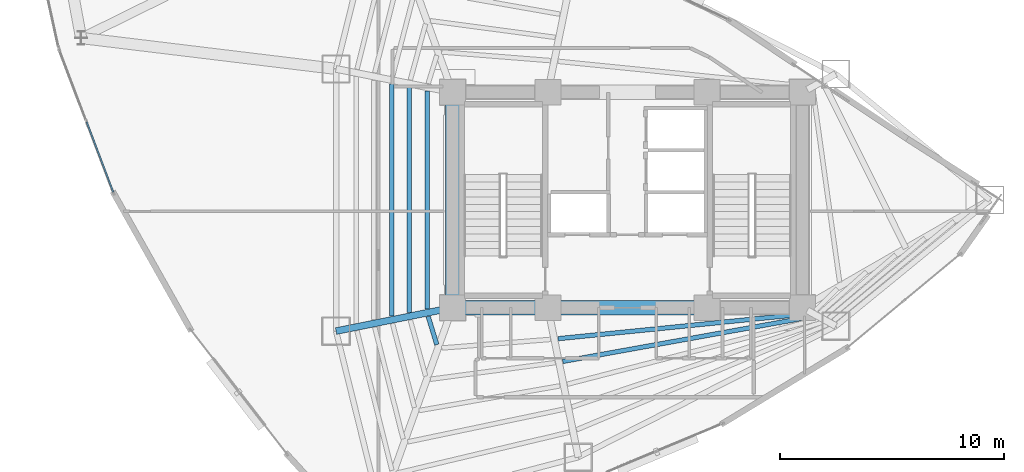
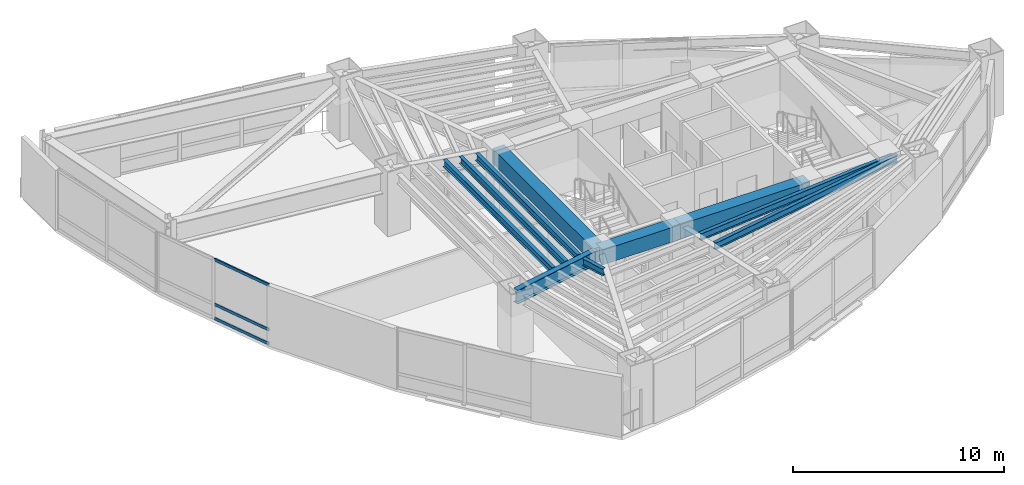
# One storey, part 7 of 23: 10 beams, 3 members, 1 element without a shape of its own.
"""IFC4 building model written with IfcOpenShell, lengths in metres."""

from ifc_helpers import new_model, si_unit, direction, frame, origin, origin_2d, place, context, subcontext, project, spatial, rectangle, hollow_rectangle, i_section, extrude, material, layer, layer_set, material_profile, profile_set, type_object, element, aggregate, save


model = new_model("IFC4")

# Units and contexts
model_context = context("Model", 3, precision=1e-05, world=origin(), true_north=direction((0.0, 1.0)))
body_context = subcontext(model_context, "Body", "Model", "MODEL_VIEW")
ifc_project = project(units=[si_unit("LENGTHUNIT", "METRE"), si_unit("AREAUNIT", "SQUARE_METRE"), si_unit("VOLUMEUNIT", "CUBIC_METRE"), si_unit("PLANEANGLEUNIT", "RADIAN"), si_unit("MASSUNIT", "GRAM", prefix="KILO")], contexts=[model_context])

# Site, building, storey
site_placement = place(None, origin())
site = spatial("IfcSite", under=ifc_project, at=site_placement, CompositionType="ELEMENT")
building_placement = place(site_placement, origin())
building = spatial("IfcBuilding", under=site, at=building_placement, Name="Menara Vayukalpa", CompositionType="ELEMENT")
storey_placement = place(building_placement, frame((0.0, 0.0, 111.419921875)))
storey = spatial("IfcBuildingStorey", under=building, at=storey_placement, Name="L27", CompositionType="ELEMENT", Elevation=111.419921875)

# Beams
ifc_material_1 = material(Name="Concrete C60/75", Category="concrete")
ifc_material_profile_1 = material_profile(ifc_material_1, rectangle(XDim=0.64990234375, YDim=0.85009765625, at=origin_2d()), Name="RC 650x850")
ifc_profile_set_1 = profile_set([ifc_material_profile_1], Name="Concrete C60/75")
beam_type_1 = type_object("IfcBeamType", Name="BM-CB1", PredefinedType="BEAM", material=ifc_profile_set_1)
beam_1_placement = place(storey_placement, frame((17.800048828125, 17.199951171875, 3.045166015625), z_axis=(1.0, 0.0, 0.0), x_axis=(0.0, 1.0, 0.0)))
element("IfcBeam", 1, at=beam_1_placement, inside=storey, type_object=beam_type_1, Name="L27 Core Tie Beam CBR1", PredefinedType="BEAM", context=body_context, shape_type="SweptSolid", body=[
    extrude(rectangle(XDim=0.64990234375, YDim=0.85009765625, at=origin_2d()), origin(), (0.0, 0.0, 1.0), 4.25),
])
beam_2_placement = place(storey_placement, frame((22.050048828125, 17.199951171875, 3.045166015625), z_axis=(1.0, 0.0, 0.0), x_axis=(0.0, 1.0, 0.0)))
element("IfcBeam", 2, at=beam_2_placement, inside=storey, type_object=beam_type_1, Name="L27 Core Tie Beam CBR2", PredefinedType="BEAM", context=body_context, shape_type="SweptSolid", body=[
    extrude(rectangle(XDim=0.64990234375, YDim=0.85009765625, at=origin_2d()), origin(), (0.0, 0.0, 1.0), 7.099853515625),
])
beam_3_placement = place(storey_placement, frame((17.800048828125, 17.199951171875, 3.045166015625), z_axis=(0.0, 1.0, 0.0), x_axis=(-1.0, 0.0, 0.0)))
element("IfcBeam", 3, at=beam_3_placement, inside=storey, type_object=beam_type_1, Name="L27 Core Tie Beam CBR7", PredefinedType="BEAM", context=body_context, shape_type="SweptSolid", body=[
    extrude(rectangle(XDim=0.64990234375, YDim=0.85009765625, at=origin_2d()), origin(), (0.0, 0.0, 1.0), 9.60009765625),
])
ifc_material_2 = material(Name="Steel S355", Category="steel")
ifc_material_profile_2 = material_profile(ifc_material_2, i_section(OverallWidth=0.300048828125, OverallDepth=0.800048828125, WebThickness=0.013916015625, FlangeThickness=0.02587890625, at=origin_2d()), Name="WF 800x300x14x26")
ifc_profile_set_2 = profile_set([ifc_material_profile_2], Name="Steel S355")
beam_type_2 = type_object("IfcBeamType", Name="BM-PG3", PredefinedType="BEAM", material=ifc_profile_set_2)
beam_4_placement = place(storey_placement, frame((17.554931640625, 17.150634765625, 3.070068359375), z_axis=(-0.980324984906, -0.197390283373, 0.0), x_axis=(0.197390283373, -0.980324984906, 0.0)))
element("IfcBeam", 4, at=beam_4_placement, inside=storey, type_object=beam_type_2, Name="L27 Primary Radial Girder RG06", PredefinedType="BEAM", context=body_context, shape_type="SweptSolid", body=[
    extrude(i_section(OverallWidth=0.300048828125, OverallDepth=0.800048828125, WebThickness=0.013916015625, FlangeThickness=0.02587890625, at=origin_2d()), origin(), (0.0, 0.0, 1.0), 5.047607421875),
])
ifc_material_3 = material(Name="Steel S355", Category="steel")
ifc_material_profile_3 = material_profile(ifc_material_3, i_section(OverallWidth=0.199951171875, OverallDepth=0.39990234375, WebThickness=0.008056640625, FlangeThickness=0.012939453125, at=origin_2d()), Name="WF 400x200x8x13")
ifc_profile_set_3 = profile_set([ifc_material_profile_3], Name="Steel S355")
beam_type_3 = type_object("IfcBeamType", Name="BM-SJ2", PredefinedType="JOIST", material=ifc_profile_set_3)
beam_5_placement = place(storey_placement, frame((16.664306640625, 26.858642578125, 3.27001953125), z_axis=(0.0, -1.0, 0.0), x_axis=(1.0, 0.0, 0.0)))
element("IfcBeam", 5, at=beam_5_placement, inside=storey, type_object=beam_type_3, Name="L27 Secondary Floor Joist SJ05-1", PredefinedType="JOIST", context=body_context, shape_type="SweptSolid", body=[
    extrude(i_section(OverallWidth=0.199951171875, OverallDepth=0.39990234375, WebThickness=0.008056640625, FlangeThickness=0.012939453125, at=origin_2d()), origin(), (0.0, 0.0, 1.0), 9.71728515625),
])
beam_6_placement = place(storey_placement, frame((15.87255859375, 27.01806640625, 3.27001953125), z_axis=(0.0, -1.0, 0.0), x_axis=(1.0, 0.0, 0.0)))
element("IfcBeam", 6, at=beam_6_placement, inside=storey, type_object=beam_type_3, Name="L27 Secondary Floor Joist SJ05-2", PredefinedType="JOIST", context=body_context, shape_type="SweptSolid", body=[
    extrude(i_section(OverallWidth=0.199951171875, OverallDepth=0.39990234375, WebThickness=0.008056640625, FlangeThickness=0.012939453125, at=origin_2d()), origin(), (0.0, 0.0, 1.0), 10.0361328125),
])
beam_7_placement = place(storey_placement, frame((15.080810546875, 27.177490234375, 3.27001953125), z_axis=(0.0, -1.0, 0.0), x_axis=(1.0, 0.0, 0.0)))
element("IfcBeam", 7, at=beam_7_placement, inside=storey, type_object=beam_type_3, Name="L27 Secondary Floor Joist SJ05-3", PredefinedType="JOIST", context=body_context, shape_type="SweptSolid", body=[
    extrude(i_section(OverallWidth=0.199951171875, OverallDepth=0.39990234375, WebThickness=0.008056640625, FlangeThickness=0.012939453125, at=origin_2d()), origin(), (0.0, 0.0, 1.0), 10.35498046875),
])
beam_8_placement = place(storey_placement, frame((16.714111328125, 16.808837890625, 3.27001953125), z_axis=(0.292651981473, -0.956219021846, 0.0), x_axis=(0.956219021846, 0.292651981473, 0.0)))
element("IfcBeam", 8, at=beam_8_placement, inside=storey, type_object=beam_type_3, Name="L27 Secondary Floor Joist SJ06-1", PredefinedType="JOIST", context=body_context, shape_type="SweptSolid", body=[
    extrude(i_section(OverallWidth=0.199951171875, OverallDepth=0.39990234375, WebThickness=0.008056640625, FlangeThickness=0.012939453125, at=origin_2d()), origin(), (0.0, 0.0, 1.0), 1.31640625),
])
beam_9_placement = place(storey_placement, frame((22.50439453125, 15.81591796875, 3.27001953125), z_axis=(0.995012836574, 0.099746955103, 0.0), x_axis=(-0.099746955103, 0.995012836574, 0.0)))
element("IfcBeam", 9, at=beam_9_placement, inside=storey, type_object=beam_type_3, Name="L27 Secondary Floor Joist SJ08-1", PredefinedType="JOIST", context=body_context, shape_type="SweptSolid", body=[
    extrude(i_section(OverallWidth=0.199951171875, OverallDepth=0.39990234375, WebThickness=0.008056640625, FlangeThickness=0.012939453125, at=origin_2d()), origin(), (0.0, 0.0, 1.0), 11.2294921875),
])
beam_10_placement = place(storey_placement, frame((22.7119140625, 14.801513671875, 3.27001953125), z_axis=(0.984205443357, 0.177030068819, 0.0), x_axis=(-0.177030068819, 0.984205443357, 0.0)))
element("IfcBeam", 10, at=beam_10_placement, inside=storey, type_object=beam_type_3, Name="L27 Secondary Floor Joist SJ08-2", PredefinedType="JOIST", context=body_context, shape_type="SweptSolid", body=[
    extrude(i_section(OverallWidth=0.199951171875, OverallDepth=0.39990234375, WebThickness=0.008056640625, FlangeThickness=0.012939453125, at=origin_2d()), origin(), (0.0, 0.0, 1.0), 11.349853515625),
])

# Curtain wall, members
ifc_material_4 = material(Name="Anodised Terracotta Aluminium Alloy 6063-T6", Category="masonry")
ifc_layer = layer(ifc_material_4, 0.179931640625)
ifc_layer_set = layer_set([ifc_layer], Name="Anodised Terracotta Aluminium Alloy 6063-T6")
curtain_wall_type = type_object("IfcCurtainWallType", Name="CW-CW4", PredefinedType="USERDEFINED", material=ifc_layer_set)
curtain_wall_placement = place(storey_placement, origin())
curtain_wall = element("IfcCurtainWall", 11, at=curtain_wall_placement, inside=storey, type_object=curtain_wall_type, Name="L27 Sky Bar Cantilever Glazed Curtain Wall CW4 11", ObjectType="UNITISED", PredefinedType="USERDEFINED")
ifc_material_5 = material(Name="Anodised Terracotta Aluminium Alloy 6063-T6", Category="masonry")
ifc_material_profile_4 = material_profile(ifc_material_5, hollow_rectangle(XDim=0.070068359375, YDim=0.1650390625, WallThickness=0.00390625, at=origin_2d()), Name="ALU 70x165x4")
ifc_profile_set_4 = profile_set([ifc_material_profile_4], Name="Anodised Terracotta Aluminium Alloy 6063-T6")
member_type = type_object("IfcMemberType", Name="CWT-CW4", PredefinedType="USERDEFINED", material=ifc_profile_set_4)
member_1_placement = place(storey_placement, frame((1.4853515625, 25.48388671875, 0.03515625), z_axis=(0.354801377627, -0.934941700019, 0.0), x_axis=(0.934941700019, 0.354801377627, 0.0)))
member_1 = element("IfcMember", 12, at=member_1_placement, type_object=member_type, Name="CW4 transom 2.1", ObjectType="TRANSOM", PredefinedType="USERDEFINED", context=body_context, shape_type="SweptSolid", body=[
    extrude(hollow_rectangle(XDim=0.070068359375, YDim=0.1650390625, WallThickness=0.00390625, at=origin_2d()), origin(), (0.0, 0.0, 1.0), 3.35107421875),
])
member_2_placement = place(storey_placement, frame((1.4853515625, 25.48388671875, 0.85009765625), z_axis=(0.354801377627, -0.934941700019, 0.0), x_axis=(0.934941700019, 0.354801377627, 0.0)))
member_2 = element("IfcMember", 13, at=member_2_placement, type_object=member_type, Name="CW4 transom 2.2", ObjectType="TRANSOM", PredefinedType="USERDEFINED", context=body_context, shape_type="SweptSolid", body=[
    extrude(hollow_rectangle(XDim=0.070068359375, YDim=0.1650390625, WallThickness=0.00390625, at=origin_2d()), origin(), (0.0, 0.0, 1.0), 3.35107421875),
])
member_3_placement = place(storey_placement, frame((1.4853515625, 25.48388671875, 3.43505859375), z_axis=(0.354801377627, -0.934941700019, 0.0), x_axis=(0.934941700019, 0.354801377627, 0.0)))
member_3 = element("IfcMember", 14, at=member_3_placement, type_object=member_type, Name="CW4 transom 2.3", ObjectType="TRANSOM", PredefinedType="USERDEFINED", context=body_context, shape_type="SweptSolid", body=[
    extrude(hollow_rectangle(XDim=0.070068359375, YDim=0.1650390625, WallThickness=0.00390625, at=origin_2d()), origin(), (0.0, 0.0, 1.0), 3.35107421875),
])
aggregate(curtain_wall, [member_1, member_2, member_3])

save(model, "model.ifc")
